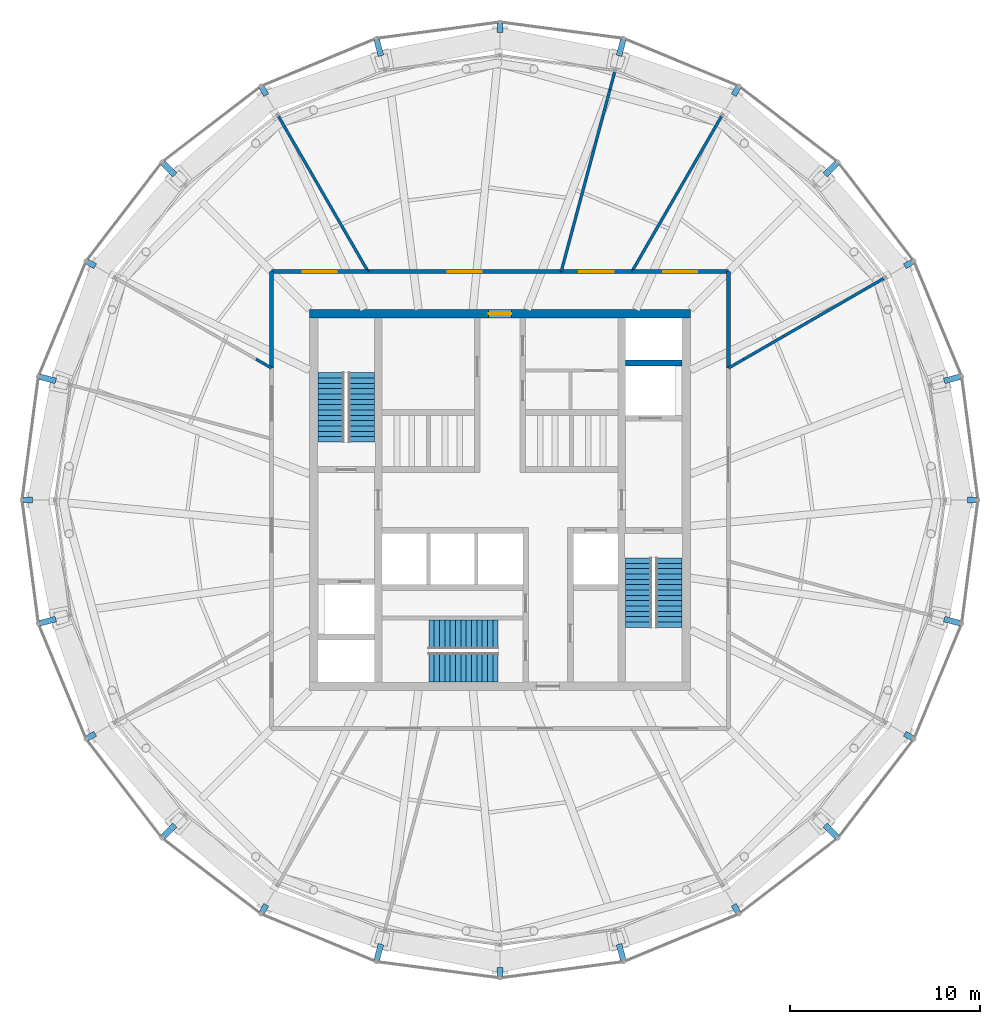
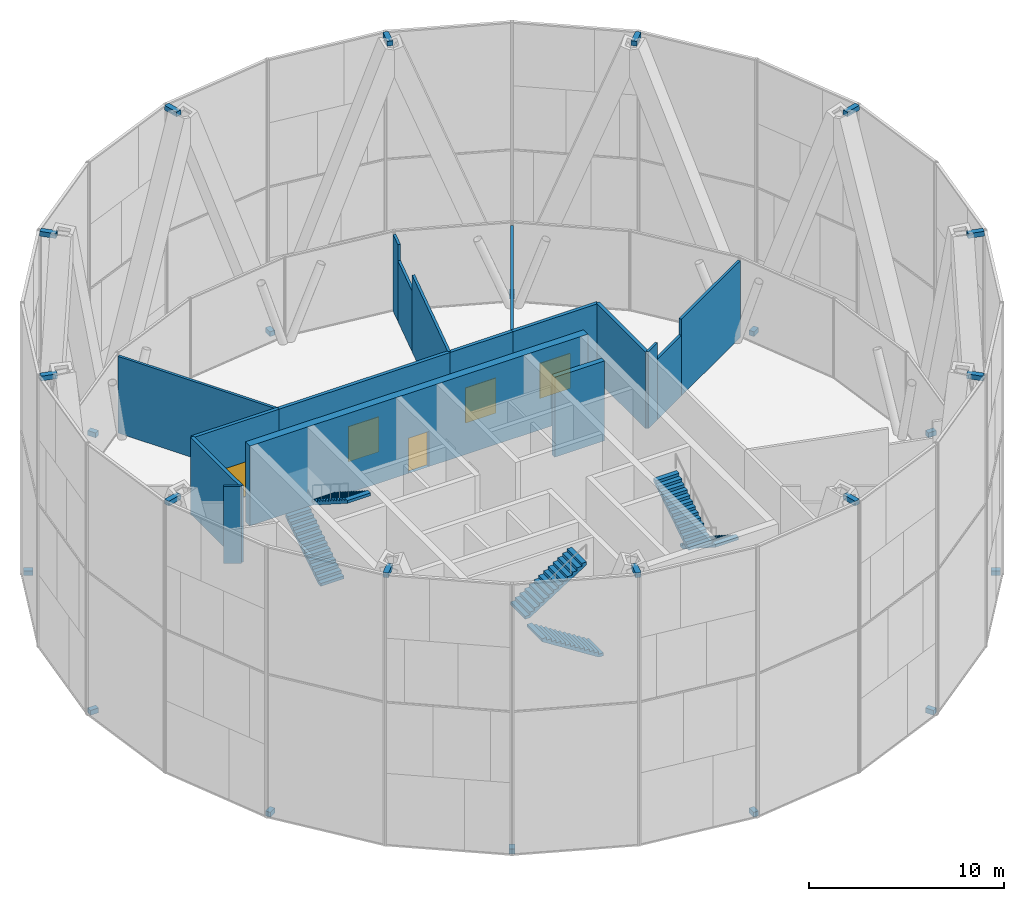
# One storey, part 14 of 15: 24 discrete accessories, 17 walls, 6 stair flights, 5 doors, 5 openings, 3 elements without a shape of their own.
"""IFC4 building model written with IfcOpenShell, lengths in metres."""

from ifc_helpers import new_model, si_unit, direction, frame, frame_2d, origin, origin_2d, place, context, subcontext, project, spatial, polyline, rectangle, outline, extrude, material, layer, layer_set, type_object, element, fill, aggregate, save


model = new_model("IFC4")

# Units and contexts
model_context = context("Model", 3, precision=1e-05, world=origin(), true_north=direction((0.0, 1.0)))
body_context = subcontext(model_context, "Body", "Model", "MODEL_VIEW")
ifc_project = project(units=[si_unit("LENGTHUNIT", "METRE"), si_unit("AREAUNIT", "SQUARE_METRE"), si_unit("VOLUMEUNIT", "CUBIC_METRE"), si_unit("PLANEANGLEUNIT", "RADIAN"), si_unit("MASSUNIT", "GRAM", prefix="KILO")], contexts=[model_context])

# Site, building, storey
site_placement = place(None, origin())
site = spatial("IfcSite", under=ifc_project, at=site_placement, CompositionType="ELEMENT")
building_placement = place(site_placement, origin())
building = spatial("IfcBuilding", under=site, at=building_placement, Name="Golbaran Civic Tower", CompositionType="ELEMENT")
storey_placement = place(building_placement, frame((0.0, 0.0, 215.0)))
storey = spatial("IfcBuildingStorey", under=building, at=storey_placement, Name="L52", CompositionType="ELEMENT", Elevation=215.0)

# Wall, opening, door
ifc_material_1 = material(Name="Concrete C50/60", Category="concrete")
ifc_layer_1 = layer(ifc_material_1, 0.449951171875, Name="Concrete C50/60")
ifc_layer_set_1 = layer_set([ifc_layer_1], Name="Concrete C50/60")
wall_type_1 = type_object("IfcWallType", Name="CORE WALL CONCRETE 450", PredefinedType="SOLIDWALL", material=ifc_layer_set_1)
wall_1_placement = place(storey_placement, frame((-10.0, 9.77490234375, 0.0), z_axis=(0.0, 0.0, 1.0), x_axis=(1.0, 0.0, 0.0)))
wall_1 = element("IfcWall", 1, at=wall_1_placement, inside=storey, type_object=wall_type_1, Name="Core wall CN L52", PredefinedType="SOLIDWALL", context=body_context, shape_type="SweptSolid", body=[
    extrude(rectangle(XDim=20.0, YDim=0.449951171875, at=frame_2d((10.0, 0.0))), origin(), (0.0, 0.0, 1.0), 5.0),
])
opening_1_placement = place(wall_1_placement, frame((9.39990234375, 0.0, 0.0)))
opening_1 = element("IfcOpeningElement", 2, at=opening_1_placement, cuts=wall_1, Name="Opening L52.CN", PredefinedType="OPENING", context=body_context, shape_type="SweptSolid", body=[
    extrude(rectangle(XDim=1.199951171875, YDim=2.199951171875, at=frame_2d((0.60009765625, 1.10009765625))), frame((0.0, 0.23486328125, 0.0), z_axis=(0.0, -1.0, 0.0), x_axis=(1.0, 0.0, 0.0)), (0.0, 0.0, 1.0), 0.469970703125),
])
ifc_material_2 = material(Name="Timber door set in steel frame", Category="steel")
door_type_1 = type_object("IfcDoorType", Name="CORE DOOR 1200x2200", OperationType="DOUBLE_DOOR_SINGLE_SWING", PredefinedType="DOOR", material=ifc_material_2)
door_1_placement = place(opening_1_placement, origin())
door_1 = element("IfcDoor", 3, at=door_1_placement, inside=storey, type_object=door_type_1, Name="Core door north", OperationType="DOUBLE_DOOR_SINGLE_SWING", OverallHeight=2.199951171875, OverallWidth=1.199951171875, PredefinedType="DOOR", context=body_context, shape_type="SweptSolid", body=[
    extrude(rectangle(XDim=1.199951171875, YDim=2.199951171875, at=frame_2d((0.60009765625, 1.10009765625))), frame((0.0, 0.02490234375, 0.0), z_axis=(0.0, -1.0, 0.0), x_axis=(1.0, 0.0, 0.0)), (0.0, 0.0, 1.0), 0.050048828125),
])
fill(opening_1, door_1)

# Wall
ifc_material_3 = material(Name="Gypsum board on steel studs, fire-rated", Category="steel")
ifc_layer_2 = layer(ifc_material_3, 0.199951171875, Name="Gypsum board on steel studs, fire-rated")
ifc_layer_set_2 = layer_set([ifc_layer_2], Name="Gypsum board on steel studs, fire-rated")
wall_type_2 = type_object("IfcWallType", Name="CORRIDOR WALL 200", PredefinedType="PARTITIONING", material=ifc_layer_set_2)
wall_2_placement = place(storey_placement, frame((12.0, 6.92822265625, 0.0), z_axis=(0.0, 0.0, 1.0), x_axis=(0.0, 1.0, 0.0)))
element("IfcWall", 4, at=wall_2_placement, inside=storey, type_object=wall_type_2, Name="Corridor wall L52", PredefinedType="PARTITIONING", context=body_context, shape_type="SweptSolid", body=[
    extrude(rectangle(XDim=5.07177734375, YDim=0.199951171875, at=frame_2d((2.535888671875, 0.0))), origin(), (0.0, 0.0, 1.0), 4.800048828125),
])

# Wall, opening, door
wall_3_placement = place(storey_placement, frame((12.0, 12.0, 0.0), z_axis=(0.0, 0.0, 1.0), x_axis=(-1.0, 0.0, 0.0)))
wall_3 = element("IfcWall", 5, at=wall_3_placement, inside=storey, type_object=wall_type_2, Name="Corridor wall L52", PredefinedType="PARTITIONING", context=body_context, shape_type="SweptSolid", body=[
    extrude(rectangle(XDim=5.07177734375, YDim=0.199951171875, at=frame_2d((2.535888671875, 0.0))), origin(), (0.0, 0.0, 1.0), 4.800048828125),
])
opening_2_placement = place(wall_3_placement, frame((1.635986328125, 0.0, 0.0)))
opening_2 = element("IfcOpeningElement", 6, at=opening_2_placement, cuts=wall_3, Name="Opening L52.03", PredefinedType="OPENING", context=body_context, shape_type="SweptSolid", body=[
    extrude(rectangle(XDim=1.800048828125, YDim=2.199951171875, at=frame_2d((0.89990234375, 1.10009765625))), frame((0.0, 0.10986328125, 0.0), z_axis=(0.0, -1.0, 0.0), x_axis=(1.0, 0.0, 0.0)), (0.0, 0.0, 1.0), 0.219970703125),
])
door_type_2 = type_object("IfcDoorType", Name="OFFICE DOUBLE DOOR 1800x2200", OperationType="DOUBLE_DOOR_SINGLE_SWING", PredefinedType="DOOR", material=ifc_material_2)
door_2_placement = place(opening_2_placement, origin())
door_2 = element("IfcDoor", 7, at=door_2_placement, inside=storey, type_object=door_type_2, Name="Electrical Switch Room door L52", OperationType="DOUBLE_DOOR_SINGLE_SWING", OverallHeight=2.199951171875, OverallWidth=1.800048828125, PredefinedType="DOOR", context=body_context, shape_type="SweptSolid", body=[
    extrude(rectangle(XDim=1.800048828125, YDim=2.199951171875, at=frame_2d((0.89990234375, 1.10009765625))), frame((0.0, 0.02490234375, 0.0), z_axis=(0.0, -1.0, 0.0), x_axis=(1.0, 0.0, 0.0)), (0.0, 0.0, 1.0), 0.050048828125),
])
fill(opening_2, door_2)

wall_4_placement = place(storey_placement, frame((6.92822265625, 12.0, 0.0), z_axis=(0.0, 0.0, 1.0), x_axis=(-1.0, 0.0, 0.0)))
wall_4 = element("IfcWall", 8, at=wall_4_placement, inside=storey, type_object=wall_type_2, Name="Corridor wall L52", PredefinedType="PARTITIONING", context=body_context, shape_type="SweptSolid", body=[
    extrude(rectangle(XDim=3.712890625, YDim=0.199951171875, at=frame_2d((1.8564453125, 0.0))), origin(), (0.0, 0.0, 1.0), 4.800048828125),
])
opening_3_placement = place(wall_4_placement, frame((0.956298828125, 0.0, 0.0)))
opening_3 = element("IfcOpeningElement", 9, at=opening_3_placement, cuts=wall_4, Name="Opening L52.04", PredefinedType="OPENING", context=body_context, shape_type="SweptSolid", body=[
    extrude(rectangle(XDim=1.800048828125, YDim=2.199951171875, at=frame_2d((0.89990234375, 1.10009765625))), frame((0.0, 0.10986328125, 0.0), z_axis=(0.0, -1.0, 0.0), x_axis=(1.0, 0.0, 0.0)), (0.0, 0.0, 1.0), 0.219970703125),
])
door_3_placement = place(opening_3_placement, origin())
door_3 = element("IfcDoor", 10, at=door_3_placement, inside=storey, type_object=door_type_2, Name="Air Handling Plant Room door L52", OperationType="DOUBLE_DOOR_SINGLE_SWING", OverallHeight=2.199951171875, OverallWidth=1.800048828125, PredefinedType="DOOR", context=body_context, shape_type="SweptSolid", body=[
    extrude(rectangle(XDim=1.800048828125, YDim=2.199951171875, at=frame_2d((0.89990234375, 1.10009765625))), frame((0.0, 0.02490234375, 0.0), z_axis=(0.0, -1.0, 0.0), x_axis=(1.0, 0.0, 0.0)), (0.0, 0.0, 1.0), 0.050048828125),
])
fill(opening_3, door_3)

wall_5_placement = place(storey_placement, frame((3.21533203125, 12.0, 0.0), z_axis=(0.0, 0.0, 1.0), x_axis=(-1.0, 0.0, 0.0)))
wall_5 = element("IfcWall", 11, at=wall_5_placement, inside=storey, type_object=wall_type_2, Name="Corridor wall L52", PredefinedType="PARTITIONING", context=body_context, shape_type="SweptSolid", body=[
    extrude(rectangle(XDim=10.1435546875, YDim=0.199951171875, at=frame_2d((5.07177734375, 0.0))), origin(), (0.0, 0.0, 1.0), 4.800048828125),
])
opening_4_placement = place(wall_5_placement, frame((4.171875, 0.0, 0.0)))
opening_4 = element("IfcOpeningElement", 12, at=opening_4_placement, cuts=wall_5, Name="Opening L52.05", PredefinedType="OPENING", context=body_context, shape_type="SweptSolid", body=[
    extrude(rectangle(XDim=1.800048828125, YDim=2.199951171875, at=frame_2d((0.89990234375, 1.10009765625))), frame((0.0, 0.10986328125, 0.0), z_axis=(0.0, -1.0, 0.0), x_axis=(1.0, 0.0, 0.0)), (0.0, 0.0, 1.0), 0.219970703125),
])
door_4_placement = place(opening_4_placement, origin())
door_4 = element("IfcDoor", 13, at=door_4_placement, inside=storey, type_object=door_type_2, Name="Refuge Area door L52", OperationType="DOUBLE_DOOR_SINGLE_SWING", OverallHeight=2.199951171875, OverallWidth=1.800048828125, PredefinedType="DOOR", context=body_context, shape_type="SweptSolid", body=[
    extrude(rectangle(XDim=1.800048828125, YDim=2.199951171875, at=frame_2d((0.89990234375, 1.10009765625))), frame((0.0, 0.02490234375, 0.0), z_axis=(0.0, -1.0, 0.0), x_axis=(1.0, 0.0, 0.0)), (0.0, 0.0, 1.0), 0.050048828125),
])
fill(opening_4, door_4)

wall_6_placement = place(storey_placement, frame((-6.92822265625, 12.0, 0.0), z_axis=(0.0, 0.0, 1.0), x_axis=(-1.0, 0.0, 0.0)))
wall_6 = element("IfcWall", 14, at=wall_6_placement, inside=storey, type_object=wall_type_2, Name="Corridor wall L52", PredefinedType="PARTITIONING", context=body_context, shape_type="SweptSolid", body=[
    extrude(rectangle(XDim=5.07177734375, YDim=0.199951171875, at=frame_2d((2.535888671875, 0.0))), origin(), (0.0, 0.0, 1.0), 4.800048828125),
])
opening_5_placement = place(wall_6_placement, frame((1.635986328125, 0.0, 0.0)))
opening_5 = element("IfcOpeningElement", 15, at=opening_5_placement, cuts=wall_6, Name="Opening L52.06", PredefinedType="OPENING", context=body_context, shape_type="SweptSolid", body=[
    extrude(rectangle(XDim=1.800048828125, YDim=2.199951171875, at=frame_2d((0.89990234375, 1.10009765625))), frame((0.0, 0.10986328125, 0.0), z_axis=(0.0, -1.0, 0.0), x_axis=(1.0, 0.0, 0.0)), (0.0, 0.0, 1.0), 0.219970703125),
])
door_5_placement = place(opening_5_placement, origin())
door_5 = element("IfcDoor", 16, at=door_5_placement, inside=storey, type_object=door_type_2, Name="Pump Room door L52", OperationType="DOUBLE_DOOR_SINGLE_SWING", OverallHeight=2.199951171875, OverallWidth=1.800048828125, PredefinedType="DOOR", context=body_context, shape_type="SweptSolid", body=[
    extrude(rectangle(XDim=1.800048828125, YDim=2.199951171875, at=frame_2d((0.89990234375, 1.10009765625))), frame((0.0, 0.02490234375, 0.0), z_axis=(0.0, -1.0, 0.0), x_axis=(1.0, 0.0, 0.0)), (0.0, 0.0, 1.0), 0.050048828125),
])
fill(opening_5, door_5)

# Walls
wall_7_placement = place(storey_placement, frame((-12.0, 12.0, 0.0), z_axis=(0.0, 0.0, 1.0), x_axis=(0.0, -1.0, 0.0)))
element("IfcWall", 17, at=wall_7_placement, inside=storey, type_object=wall_type_2, Name="Corridor wall L52", PredefinedType="PARTITIONING", context=body_context, shape_type="SweptSolid", body=[
    extrude(rectangle(XDim=5.07177734375, YDim=0.199951171875, at=frame_2d((2.535888671875, 0.0))), origin(), (0.0, 0.0, 1.0), 4.800048828125),
])
ifc_material_4 = material(Name="Gypsum board on steel studs", Category="steel")
ifc_layer_3 = layer(ifc_material_4, 0.14990234375, Name="Gypsum board on steel studs")
ifc_layer_set_3 = layer_set([ifc_layer_3], Name="Gypsum board on steel studs")
wall_type_3 = type_object("IfcWallType", Name="OFFICE PARTITION 150", PredefinedType="PARTITIONING", material=ifc_layer_set_3)
wall_8_placement = place(storey_placement, frame((12.0, 6.92822265625, 0.0), z_axis=(0.0, 0.0, 1.0), x_axis=(0.866042712228, 0.499970019698, 0.0)))
element("IfcWall", 18, at=wall_8_placement, inside=storey, type_object=wall_type_3, Name="Partition 30 L52", PredefinedType="PARTITIONING", context=body_context, shape_type="SweptSolid", body=[
    extrude(rectangle(XDim=0.93896484375, YDim=0.14990234375, at=frame_2d((0.469482421875, 0.0))), origin(), (0.0, 0.0, 1.0), 4.800048828125),
])
wall_9_placement = place(storey_placement, frame((12.813232421875, 7.397705078125, 0.0), z_axis=(0.0, 0.0, 1.0), x_axis=(0.86601855109, 0.500011869027, 0.0)))
element("IfcWall", 19, at=wall_9_placement, inside=storey, type_object=wall_type_3, Name="Partition 30 L52 (part 2)", PredefinedType="PARTITIONING", context=body_context, shape_type="SweptSolid", body=[
    extrude(rectangle(XDim=2.43408203125, YDim=0.14990234375, at=frame_2d((1.217041015625, 0.0))), origin(), (0.0, 0.0, 1.0), 3.7900390625),
])
wall_10_placement = place(storey_placement, frame((14.921142578125, 8.61474609375, 0.0), z_axis=(0.0, 0.0, 1.0), x_axis=(0.866017437, 0.500013798622, 0.0)))
element("IfcWall", 20, at=wall_10_placement, inside=storey, type_object=wall_type_3, Name="Partition 30 L52 (part 3)", PredefinedType="PARTITIONING", context=body_context, shape_type="SweptSolid", body=[
    extrude(rectangle(XDim=6.044677734375, YDim=0.14990234375, at=frame_2d((3.0224609375, 0.0))), origin(), (0.0, 0.0, 1.0), 4.800048828125),
])
wall_11_placement = place(storey_placement, frame((6.92822265625, 12.0, 0.0), z_axis=(0.0, 0.0, 1.0), x_axis=(0.500008934908, 0.866020245151, 0.0)))
element("IfcWall", 21, at=wall_11_placement, inside=storey, type_object=wall_type_3, Name="Partition 60 L52", PredefinedType="PARTITIONING", context=body_context, shape_type="SweptSolid", body=[
    extrude(rectangle(XDim=9.417724609375, YDim=0.14990234375, at=frame_2d((4.708984375, 0.0))), origin(), (0.0, 0.0, 1.0), 4.800048828125),
])
wall_12_placement = place(storey_placement, frame((3.21533203125, 12.0, 0.0), z_axis=(0.0, 0.0, 1.0), x_axis=(0.258845050614, 0.965918857758, 0.0)))
element("IfcWall", 22, at=wall_12_placement, inside=storey, type_object=wall_type_3, Name="Partition 75 L52", PredefinedType="PARTITIONING", context=body_context, shape_type="SweptSolid", body=[
    extrude(rectangle(XDim=7.0927734375, YDim=0.14990234375, at=frame_2d((3.54638671875, 0.0))), origin(), (0.0, 0.0, 1.0), 4.800048828125),
])
wall_13_placement = place(storey_placement, frame((5.05126953125, 18.85107421875, 0.0), z_axis=(0.0, 0.0, 1.0), x_axis=(0.258741864149, 0.965946503558, 0.0)))
element("IfcWall", 23, at=wall_13_placement, inside=storey, type_object=wall_type_3, Name="Partition 75 L52 (part 2)", PredefinedType="PARTITIONING", context=body_context, shape_type="SweptSolid", body=[
    extrude(rectangle(XDim=2.815673828125, YDim=0.14990234375, at=frame_2d((1.40771484375, 0.0))), origin(), (0.0, 0.0, 1.0), 3.7900390625),
])
wall_14_placement = place(storey_placement, frame((5.77978515625, 21.57080078125, 0.0), z_axis=(0.0, 0.0, 1.0), x_axis=(0.259016592134, 0.965872872069, 0.0)))
element("IfcWall", 24, at=wall_14_placement, inside=storey, type_object=wall_type_3, Name="Partition 75 L52 (part 3)", PredefinedType="PARTITIONING", context=body_context, shape_type="SweptSolid", body=[
    extrude(rectangle(XDim=0.942626953125, YDim=0.14990234375, at=frame_2d((0.47119140625, 0.0))), origin(), (0.0, 0.0, 1.0), 4.800048828125),
])
wall_15_placement = place(storey_placement, frame((-6.92822265625, 12.0, 0.0), z_axis=(0.0, 0.0, 1.0), x_axis=(-0.500008934908, 0.866020245151, 0.0)))
element("IfcWall", 25, at=wall_15_placement, inside=storey, type_object=wall_type_3, Name="Partition 120 L52", PredefinedType="PARTITIONING", context=body_context, shape_type="SweptSolid", body=[
    extrude(rectangle(XDim=9.417724609375, YDim=0.14990234375, at=frame_2d((4.708984375, 0.0))), origin(), (0.0, 0.0, 1.0), 4.800048828125),
])
wall_16_placement = place(storey_placement, frame((-12.0, 6.92822265625, 0.0), z_axis=(0.0, 0.0, 1.0), x_axis=(-0.866042712228, 0.499970019698, 0.0)))
element("IfcWall", 26, at=wall_16_placement, inside=storey, type_object=wall_type_3, Name="Partition 150 L52", PredefinedType="PARTITIONING", context=body_context, shape_type="SweptSolid", body=[
    extrude(rectangle(XDim=0.93896484375, YDim=0.14990234375, at=frame_2d((0.469482421875, 0.0))), origin(), (0.0, 0.0, 1.0), 4.800048828125),
])
ifc_layer_4 = layer(ifc_material_1, 0.300048828125, Name="Concrete C50/60")
ifc_layer_set_4 = layer_set([ifc_layer_4], Name="Concrete C50/60")
wall_type_4 = type_object("IfcWallType", Name="SHAFT WALL CONCRETE 300", PredefinedType="SOLIDWALL", material=ifc_layer_set_4)
wall_17_placement = place(storey_placement, frame((6.60009765625, 7.199951171875, 0.0), z_axis=(0.0, 0.0, 1.0), x_axis=(1.0, 0.0, 0.0)))
element("IfcWall", 27, at=wall_17_placement, inside=storey, type_object=wall_type_4, Name="Core wall XE3 L52", PredefinedType="SOLIDWALL", context=body_context, shape_type="SweptSolid", body=[
    extrude(rectangle(XDim=2.949951171875, YDim=0.300048828125, at=frame_2d((1.47509765625, 0.0))), origin(), (0.0, 0.0, 1.0), 5.0),
])

# Stair, stair flights
ifc_material_5 = material(Name="Concrete C35/45", Category="concrete")
stair_type_1 = type_object("IfcStairType", Name="EXIT STAIR 2950 x 7800, 5000 RISE", PredefinedType="HALF_TURN_STAIR", material=ifc_material_5)
stair_1_placement = place(storey_placement, origin())
stair_1 = element("IfcStair", 28, at=stair_1_placement, inside=storey, type_object=stair_type_1, Name="Stair S1 L52", PredefinedType="HALF_TURN_STAIR")
stair_flight_type_1 = type_object("IfcStairFlightType", Name="STAIR FLIGHT 1375 WIDE", PredefinedType="STRAIGHT", material=ifc_material_5)
stair_flight_1_placement = place(storey_placement, frame((-8.862548828125, 3.050048828125, 0.0), z_axis=(0.0, 0.0, 1.0), x_axis=(0.0, 1.0, 0.0)))
stair_flight_1 = element("IfcStairFlight", 29, at=stair_flight_1_placement, type_object=stair_flight_type_1, Name="ST29578-50 flight 1", NumberOfRisers=14, NumberOfTreads=13, PredefinedType="STRAIGHT", RiserHeight=0.178571429, TreadLength=0.28, context=body_context, shape_type="SweptSolid", body=[
    extrude(outline(polyline([(0.0, 0.0), (0.0, 0.178466796875), (0.280029296875, 0.178466796875), (0.280029296875, 0.357177734375), (0.56005859375, 0.357177734375), (0.56005859375, 0.53564453125), (0.840087890625, 0.53564453125), (0.840087890625, 0.71435546875), (1.1201171875, 0.71435546875), (1.1201171875, 0.892822265625), (1.39990234375, 0.892822265625), (1.39990234375, 1.071533203125), (1.679931640625, 1.071533203125), (1.679931640625, 1.25), (1.9599609375, 1.25), (1.9599609375, 1.428466796875), (2.239990234375, 1.428466796875), (2.239990234375, 1.607177734375), (2.52001953125, 1.607177734375), (2.52001953125, 1.78564453125), (2.800048828125, 1.78564453125), (2.800048828125, 1.96435546875), (3.080078125, 1.96435546875), (3.080078125, 2.142822265625), (3.360107421875, 2.142822265625), (3.360107421875, 2.321533203125), (3.639892578125, 2.321533203125), (3.639892578125, 2.5), (3.639892578125, 2.1435546875), (0.27880859375, 0.0), (0.0, 0.0)])), frame((0.0, 0.6875, 0.0), z_axis=(0.0, -1.0, 0.0), x_axis=(1.0, 0.0, 0.0)), (0.0, 0.0, 1.0), 1.375),
])
stair_flight_2_placement = place(storey_placement, frame((-7.28759765625, 6.68994140625, 2.5), z_axis=(0.0, 0.0, 1.0), x_axis=(0.0, -1.0, 0.0)))
stair_flight_2 = element("IfcStairFlight", 30, at=stair_flight_2_placement, type_object=stair_flight_type_1, Name="ST29578-50 flight 2", NumberOfRisers=14, NumberOfTreads=13, PredefinedType="STRAIGHT", RiserHeight=0.178571429, TreadLength=0.28, context=body_context, shape_type="SweptSolid", body=[
    extrude(outline(polyline([(0.0, 0.0), (0.0, 0.178466796875), (0.280029296875, 0.178466796875), (0.280029296875, 0.357177734375), (0.56005859375, 0.357177734375), (0.56005859375, 0.53564453125), (0.840087890625, 0.53564453125), (0.840087890625, 0.71435546875), (1.1201171875, 0.71435546875), (1.1201171875, 0.892822265625), (1.39990234375, 0.892822265625), (1.39990234375, 1.071533203125), (1.679931640625, 1.071533203125), (1.679931640625, 1.25), (1.9599609375, 1.25), (1.9599609375, 1.428466796875), (2.239990234375, 1.428466796875), (2.239990234375, 1.607177734375), (2.52001953125, 1.607177734375), (2.52001953125, 1.78564453125), (2.800048828125, 1.78564453125), (2.800048828125, 1.96435546875), (3.080078125, 1.96435546875), (3.080078125, 2.142822265625), (3.360107421875, 2.142822265625), (3.360107421875, 2.321533203125), (3.639892578125, 2.321533203125), (3.639892578125, 2.5), (3.639892578125, 2.1435546875), (0.27880859375, 0.0), (0.0, 0.0)])), frame((0.0, 0.6875, 0.0), z_axis=(0.0, -1.0, 0.0), x_axis=(1.0, 0.0, 0.0)), (0.0, 0.0, 1.0), 1.375),
])
aggregate(stair_1, [stair_flight_1, stair_flight_2])

stair_2_placement = place(storey_placement, origin())
stair_2 = element("IfcStair", 31, at=stair_2_placement, inside=storey, type_object=stair_type_1, Name="Stair S2 L52", PredefinedType="HALF_TURN_STAIR")
stair_flight_3_placement = place(storey_placement, frame((8.862548828125, -3.050048828125, 0.0), z_axis=(0.0, 0.0, 1.0), x_axis=(0.0, -1.0, 0.0)))
stair_flight_3 = element("IfcStairFlight", 32, at=stair_flight_3_placement, type_object=stair_flight_type_1, Name="ST29578-50 flight 1", NumberOfRisers=14, NumberOfTreads=13, PredefinedType="STRAIGHT", RiserHeight=0.178571429, TreadLength=0.28, context=body_context, shape_type="SweptSolid", body=[
    extrude(outline(polyline([(0.0, 0.0), (0.0, 0.178466796875), (0.280029296875, 0.178466796875), (0.280029296875, 0.357177734375), (0.56005859375, 0.357177734375), (0.56005859375, 0.53564453125), (0.840087890625, 0.53564453125), (0.840087890625, 0.71435546875), (1.1201171875, 0.71435546875), (1.1201171875, 0.892822265625), (1.39990234375, 0.892822265625), (1.39990234375, 1.071533203125), (1.679931640625, 1.071533203125), (1.679931640625, 1.25), (1.9599609375, 1.25), (1.9599609375, 1.428466796875), (2.239990234375, 1.428466796875), (2.239990234375, 1.607177734375), (2.52001953125, 1.607177734375), (2.52001953125, 1.78564453125), (2.800048828125, 1.78564453125), (2.800048828125, 1.96435546875), (3.080078125, 1.96435546875), (3.080078125, 2.142822265625), (3.360107421875, 2.142822265625), (3.360107421875, 2.321533203125), (3.639892578125, 2.321533203125), (3.639892578125, 2.5), (3.639892578125, 2.1435546875), (0.27880859375, 0.0), (0.0, 0.0)])), frame((0.0, 0.6875, 0.0), z_axis=(0.0, -1.0, 0.0), x_axis=(1.0, 0.0, 0.0)), (0.0, 0.0, 1.0), 1.375),
])
stair_flight_4_placement = place(storey_placement, frame((7.28759765625, -6.68994140625, 2.5), z_axis=(0.0, 0.0, 1.0), x_axis=(0.0, 1.0, 0.0)))
stair_flight_4 = element("IfcStairFlight", 33, at=stair_flight_4_placement, type_object=stair_flight_type_1, Name="ST29578-50 flight 2", NumberOfRisers=14, NumberOfTreads=13, PredefinedType="STRAIGHT", RiserHeight=0.178571429, TreadLength=0.28, context=body_context, shape_type="SweptSolid", body=[
    extrude(outline(polyline([(0.0, 0.0), (0.0, 0.178466796875), (0.280029296875, 0.178466796875), (0.280029296875, 0.357177734375), (0.56005859375, 0.357177734375), (0.56005859375, 0.53564453125), (0.840087890625, 0.53564453125), (0.840087890625, 0.71435546875), (1.1201171875, 0.71435546875), (1.1201171875, 0.892822265625), (1.39990234375, 0.892822265625), (1.39990234375, 1.071533203125), (1.679931640625, 1.071533203125), (1.679931640625, 1.25), (1.9599609375, 1.25), (1.9599609375, 1.428466796875), (2.239990234375, 1.428466796875), (2.239990234375, 1.607177734375), (2.52001953125, 1.607177734375), (2.52001953125, 1.78564453125), (2.800048828125, 1.78564453125), (2.800048828125, 1.96435546875), (3.080078125, 1.96435546875), (3.080078125, 2.142822265625), (3.360107421875, 2.142822265625), (3.360107421875, 2.321533203125), (3.639892578125, 2.321533203125), (3.639892578125, 2.5), (3.639892578125, 2.1435546875), (0.27880859375, 0.0), (0.0, 0.0)])), frame((0.0, 0.6875, 0.0), z_axis=(0.0, -1.0, 0.0), x_axis=(1.0, 0.0, 0.0)), (0.0, 0.0, 1.0), 1.375),
])
aggregate(stair_2, [stair_flight_3, stair_flight_4])

stair_type_2 = type_object("IfcStairType", Name="EXIT STAIR 3250 x 7400, 5000 RISE", PredefinedType="HALF_TURN_STAIR", material=ifc_material_5)
stair_3_placement = place(storey_placement, origin())
stair_3 = element("IfcStair", 34, at=stair_3_placement, inside=storey, type_object=stair_type_2, Name="Stair S3 L52", PredefinedType="HALF_TURN_STAIR")
stair_flight_type_2 = type_object("IfcStairFlightType", Name="STAIR FLIGHT 1525 WIDE", PredefinedType="STRAIGHT", material=ifc_material_5)
stair_flight_5_placement = place(storey_placement, frame((-0.10009765625, -8.78759765625, 0.0), z_axis=(0.0, 0.0, 1.0), x_axis=(-1.0, 0.0, 0.0)))
stair_flight_5 = element("IfcStairFlight", 35, at=stair_flight_5_placement, type_object=stair_flight_type_2, Name="ST32574-50 flight 1", NumberOfRisers=14, NumberOfTreads=13, PredefinedType="STRAIGHT", RiserHeight=0.178571429, TreadLength=0.28, context=body_context, shape_type="SweptSolid", body=[
    extrude(outline(polyline([(0.0, 0.0), (0.0, 0.178466796875), (0.280029296875, 0.178466796875), (0.280029296875, 0.357177734375), (0.56005859375, 0.357177734375), (0.56005859375, 0.53564453125), (0.840087890625, 0.53564453125), (0.840087890625, 0.71435546875), (1.1201171875, 0.71435546875), (1.1201171875, 0.892822265625), (1.39990234375, 0.892822265625), (1.39990234375, 1.071533203125), (1.679931640625, 1.071533203125), (1.679931640625, 1.25), (1.9599609375, 1.25), (1.9599609375, 1.428466796875), (2.239990234375, 1.428466796875), (2.239990234375, 1.607177734375), (2.52001953125, 1.607177734375), (2.52001953125, 1.78564453125), (2.800048828125, 1.78564453125), (2.800048828125, 1.96435546875), (3.080078125, 1.96435546875), (3.080078125, 2.142822265625), (3.360107421875, 2.142822265625), (3.360107421875, 2.321533203125), (3.639892578125, 2.321533203125), (3.639892578125, 2.5), (3.639892578125, 2.1435546875), (0.27880859375, 0.0), (0.0, 0.0)])), frame((0.0, 0.762451171875, 0.0), z_axis=(0.0, -1.0, 0.0), x_axis=(1.0, 0.0, 0.0)), (0.0, 0.0, 1.0), 1.52490234375),
])
stair_flight_6_placement = place(storey_placement, frame((-3.739990234375, -7.0625, 2.5), z_axis=(0.0, 0.0, 1.0), x_axis=(1.0, 0.0, 0.0)))
stair_flight_6 = element("IfcStairFlight", 36, at=stair_flight_6_placement, type_object=stair_flight_type_2, Name="ST32574-50 flight 2", NumberOfRisers=14, NumberOfTreads=13, PredefinedType="STRAIGHT", RiserHeight=0.178571429, TreadLength=0.28, context=body_context, shape_type="SweptSolid", body=[
    extrude(outline(polyline([(0.0, 0.0), (0.0, 0.178466796875), (0.280029296875, 0.178466796875), (0.280029296875, 0.357177734375), (0.56005859375, 0.357177734375), (0.56005859375, 0.53564453125), (0.840087890625, 0.53564453125), (0.840087890625, 0.71435546875), (1.1201171875, 0.71435546875), (1.1201171875, 0.892822265625), (1.39990234375, 0.892822265625), (1.39990234375, 1.071533203125), (1.679931640625, 1.071533203125), (1.679931640625, 1.25), (1.9599609375, 1.25), (1.9599609375, 1.428466796875), (2.239990234375, 1.428466796875), (2.239990234375, 1.607177734375), (2.52001953125, 1.607177734375), (2.52001953125, 1.78564453125), (2.800048828125, 1.78564453125), (2.800048828125, 1.96435546875), (3.080078125, 1.96435546875), (3.080078125, 2.142822265625), (3.360107421875, 2.142822265625), (3.360107421875, 2.321533203125), (3.639892578125, 2.321533203125), (3.639892578125, 2.5), (3.639892578125, 2.1435546875), (0.27880859375, 0.0), (0.0, 0.0)])), frame((0.0, 0.762451171875, 0.0), z_axis=(0.0, -1.0, 0.0), x_axis=(1.0, 0.0, 0.0)), (0.0, 0.0, 1.0), 1.52490234375),
])
aggregate(stair_3, [stair_flight_5, stair_flight_6])

# Discrete accessories
ifc_material_6 = material(Name="Steel S355", Category="steel")
discrete_accessory_type = type_object("IfcDiscreteAccessoryType", Name="OUTER SKIN BRACKET", PredefinedType="BRACKET", material=ifc_material_6)
for number, where, z_axis, x_axis, name in (
    (37, (24.791015625, 0.0, -0.7099609375), (0.0, 0.0, 1.0), (1.0, 0.0, 0.0), "Outer skin bracket L52 node 1"),
    (38, (21.4697265625, 12.3955078125, -0.7099609375), (0.0, 0.0, 1.0), (0.866025403784, 0.5, 0.0), "Outer skin bracket L52 node 2"),
    (39, (12.3955078125, 21.4697265625, -0.7099609375), (0.0, 0.0, 1.0), (0.5, 0.866025403784, 0.0), "Outer skin bracket L52 node 3"),
    (40, (0.0, 24.791015625, -0.7099609375), (0.0, 0.0, 1.0), (0.0, 1.0, 0.0), "Outer skin bracket L52 node 4"),
    (41, (-12.3955078125, 21.4697265625, -0.7099609375), (0.0, 0.0, 1.0), (-0.5, 0.866025403784, 0.0), "Outer skin bracket L52 node 5"),
    (42, (-21.4697265625, 12.3955078125, -0.7099609375), (0.0, 0.0, 1.0), (-0.866025403784, 0.5, 0.0), "Outer skin bracket L52 node 6"),
    (43, (-24.791015625, 0.0, -0.7099609375), (0.0, 0.0, 1.0), (-1.0, 0.0, 0.0), "Outer skin bracket L52 node 7"),
    (44, (-21.4697265625, -12.3955078125, -0.7099609375), (0.0, 0.0, 1.0), (-0.866025403784, -0.5, 0.0), "Outer skin bracket L52 node 8"),
    (45, (-12.3955078125, -21.4697265625, -0.7099609375), (0.0, 0.0, 1.0), (-0.5, -0.866025403784, 0.0), "Outer skin bracket L52 node 9"),
    (46, (0.0, -24.791015625, -0.7099609375), (0.0, 0.0, 1.0), (0.0, -1.0, 0.0), "Outer skin bracket L52 node 10"),
    (47, (12.3955078125, -21.4697265625, -0.7099609375), (0.0, 0.0, 1.0), (0.5, -0.866025403784, 0.0), "Outer skin bracket L52 node 11"),
    (48, (21.4697265625, -12.3955078125, -0.7099609375), (0.0, 0.0, 1.0), (0.866025403784, -0.5, 0.0), "Outer skin bracket L52 node 12"),
):
    element("IfcDiscreteAccessory", number, at=place(storey_placement, frame(where, z_axis=z_axis, x_axis=x_axis)), inside=storey, type_object=discrete_accessory_type, Name=name, PredefinedType="BRACKET", context=body_context, shape_type="SweptSolid", body=[
        extrude(rectangle(XDim=0.469970703125, YDim=0.300048828125, at=origin_2d()), origin(), (0.0, 0.0, 1.0), 0.300048828125),
    ])
for number, where, z_axis, x_axis, name in (
    (49, (23.752685546875, 6.364501953125, 15.98974609375), (0.0, 0.0, 1.0), (0.965925826289, 0.258819045103, 0.0), "Outer skin head bracket L52 node 1"),
    (50, (17.38818359375, 17.38818359375, 15.98974609375), (0.0, 0.0, 1.0), (0.707106781187, 0.707106781187, 0.0), "Outer skin head bracket L52 node 2"),
    (51, (6.364501953125, 23.752685546875, 15.98974609375), (0.0, 0.0, 1.0), (0.258819045103, 0.965925826289, 0.0), "Outer skin head bracket L52 node 3"),
    (52, (-6.364501953125, 23.752685546875, 15.98974609375), (0.0, 0.0, 1.0), (-0.258819045103, 0.965925826289, 0.0), "Outer skin head bracket L52 node 4"),
    (53, (-17.38818359375, 17.38818359375, 15.98974609375), (0.0, 0.0, 1.0), (-0.707106781187, 0.707106781187, 0.0), "Outer skin head bracket L52 node 5"),
    (54, (-23.752685546875, 6.364501953125, 15.98974609375), (0.0, 0.0, 1.0), (-0.965925826289, 0.258819045103, 0.0), "Outer skin head bracket L52 node 6"),
    (55, (-23.752685546875, -6.364501953125, 15.98974609375), (0.0, 0.0, 1.0), (-0.965925826289, -0.258819045103, 0.0), "Outer skin head bracket L52 node 7"),
    (56, (-17.38818359375, -17.38818359375, 15.98974609375), (0.0, 0.0, 1.0), (-0.707106781187, -0.707106781187, 0.0), "Outer skin head bracket L52 node 8"),
    (57, (-6.364501953125, -23.752685546875, 15.98974609375), (0.0, 0.0, 1.0), (-0.258819045103, -0.965925826289, 0.0), "Outer skin head bracket L52 node 9"),
    (58, (6.364501953125, -23.752685546875, 15.98974609375), (0.0, 0.0, 1.0), (0.258819045103, -0.965925826289, 0.0), "Outer skin head bracket L52 node 10"),
    (59, (17.38818359375, -17.38818359375, 15.98974609375), (0.0, 0.0, 1.0), (0.707106781187, -0.707106781187, 0.0), "Outer skin head bracket L52 node 11"),
    (60, (23.752685546875, -6.364501953125, 15.98974609375), (0.0, 0.0, 1.0), (0.965925826289, -0.258819045103, 0.0), "Outer skin head bracket L52 node 12"),
):
    element("IfcDiscreteAccessory", number, at=place(storey_placement, frame(where, z_axis=z_axis, x_axis=x_axis)), inside=storey, type_object=discrete_accessory_type, Name=name, PredefinedType="BRACKET", context=body_context, shape_type="SweptSolid", body=[
        extrude(rectangle(XDim=0.87109375, YDim=0.300048828125, at=origin_2d()), origin(), (0.0, 0.0, 1.0), 0.300048828125),
    ])

save(model, "model.ifc")
